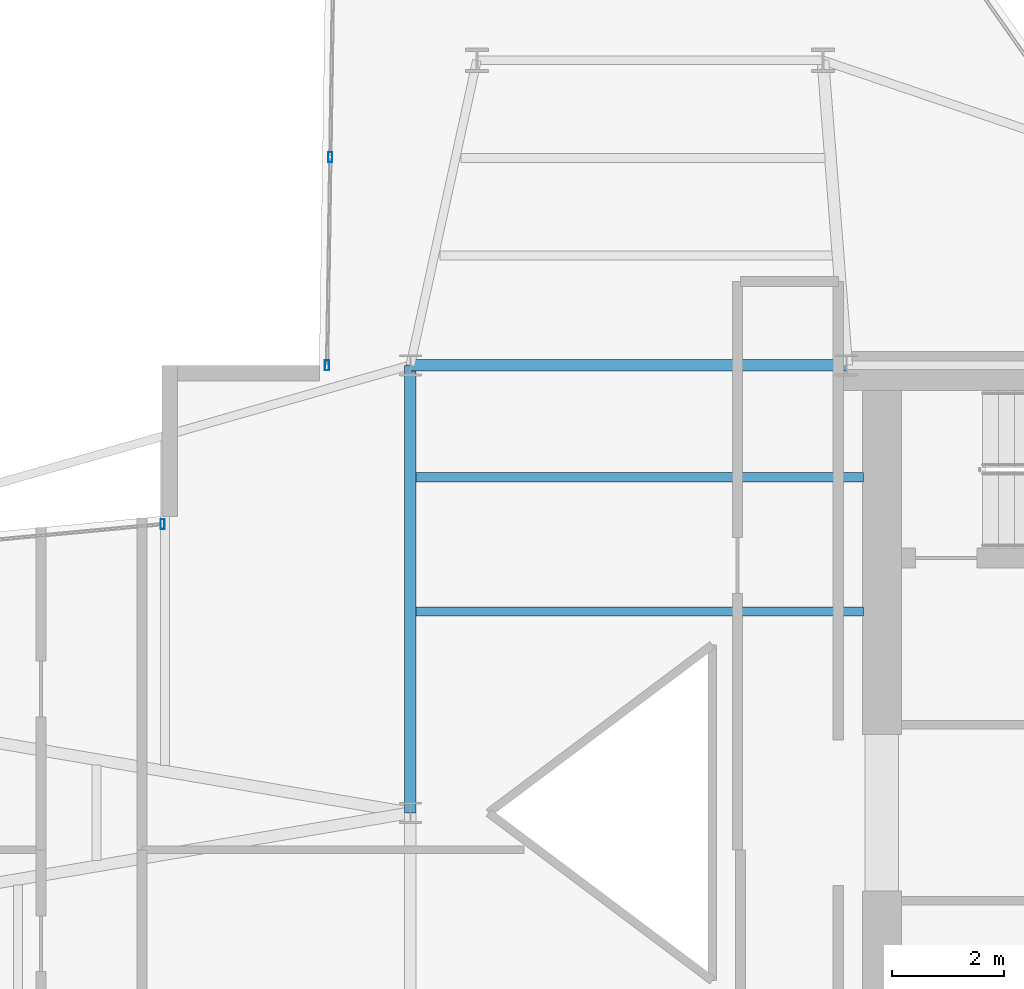
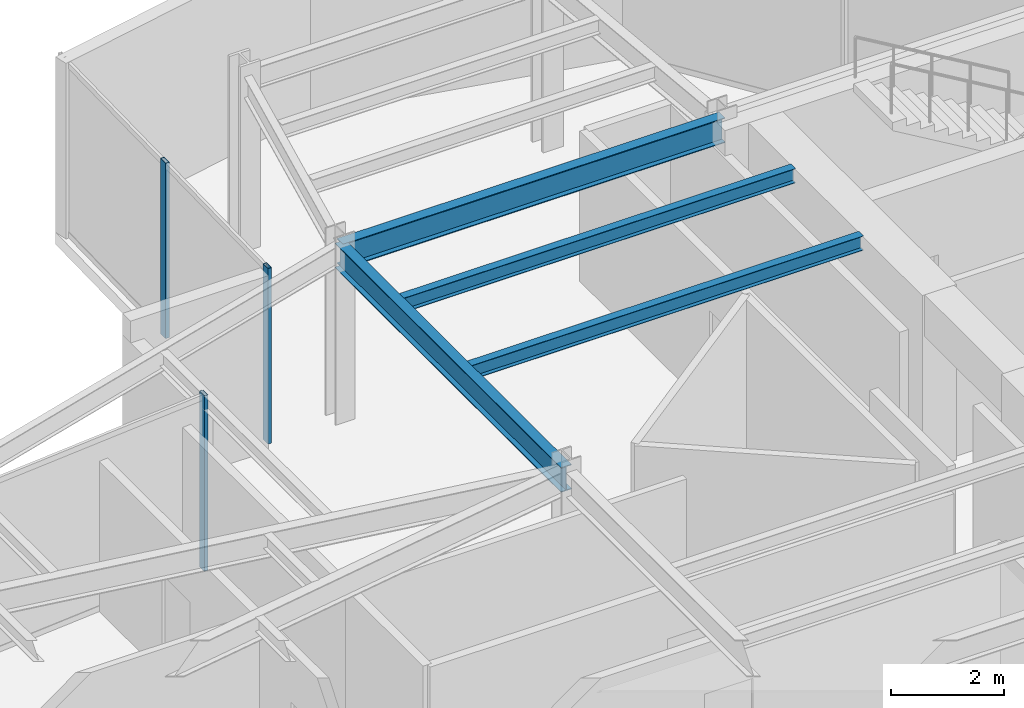
# One storey, part 10 of 24: 4 beams, 3 members, 2 elements without a shape of their own.
"""IFC4 building model written with IfcOpenShell, lengths in metres."""

from ifc_helpers import new_model, si_unit, direction, frame, origin, origin_2d, place, context, subcontext, project, spatial, hollow_rectangle, i_section, extrude, material, layer, layer_set, material_profile, profile_set, type_object, element, aggregate, save


model = new_model("IFC4")

# Units and contexts
model_context = context("Model", 3, precision=1e-05, world=origin(), true_north=direction((0.0, 1.0)))
body_context = subcontext(model_context, "Body", "Model", "MODEL_VIEW")
ifc_project = project(units=[si_unit("LENGTHUNIT", "METRE"), si_unit("AREAUNIT", "SQUARE_METRE"), si_unit("VOLUMEUNIT", "CUBIC_METRE"), si_unit("PLANEANGLEUNIT", "RADIAN"), si_unit("MASSUNIT", "GRAM", prefix="KILO")], contexts=[model_context])

# Site, building, storey
site_placement = place(None, origin())
site = spatial("IfcSite", under=ifc_project, at=site_placement, CompositionType="ELEMENT")
building_placement = place(site_placement, origin())
building = spatial("IfcBuilding", under=site, at=building_placement, Name="Veymaron Broadcast Tower", CompositionType="ELEMENT")
storey_placement = place(building_placement, frame((0.0, 0.0, 220.199951171875)))
storey = spatial("IfcBuildingStorey", under=building, at=storey_placement, Name="L51", CompositionType="ELEMENT", Elevation=220.199951171875)

# Beams
ifc_material_1 = material(Name="Structural steel ASTM A992 Gr 50", Category="steel")
ifc_material_profile_1 = material_profile(ifc_material_1, i_section(OverallWidth=0.2099609375, OverallDepth=0.537109375, WebThickness=0.010986328125, FlangeThickness=0.017333984375, at=origin_2d()), Name="W530X101")
ifc_profile_set_1 = profile_set([ifc_material_profile_1], Name="Structural steel ASTM A992 Gr 50")
beam_type_1 = type_object("IfcBeamType", Name="BM-FG3", PredefinedType="BEAM", material=ifc_profile_set_1)
beam_1_placement = place(storey_placement, frame((31.199951171875, 24.0, 3.521484375), z_axis=(0.0, 1.0, 0.0), x_axis=(-1.0, 0.0, 0.0)))
element("IfcBeam", 1, at=beam_1_placement, inside=storey, type_object=beam_type_1, Name="L51 primary structural floor girder", PredefinedType="BEAM", context=body_context, shape_type="SweptSolid", body=[
    extrude(i_section(OverallWidth=0.2099609375, OverallDepth=0.537109375, WebThickness=0.010986328125, FlangeThickness=0.017333984375, at=origin_2d()), origin(), (0.0, 0.0, 1.0), 8.0),
])
beam_2_placement = place(storey_placement, frame((31.199951171875, 32.0, 3.521484375), z_axis=(1.0, 0.0, 0.0), x_axis=(0.0, 1.0, 0.0)))
element("IfcBeam", 2, at=beam_2_placement, inside=storey, type_object=beam_type_1, Name="L51 primary structural floor girder", PredefinedType="BEAM", context=body_context, shape_type="SweptSolid", body=[
    extrude(i_section(OverallWidth=0.2099609375, OverallDepth=0.537109375, WebThickness=0.010986328125, FlangeThickness=0.017333984375, at=origin_2d()), origin(), (0.0, 0.0, 1.0), 7.800048828125),
])
ifc_material_profile_2 = material_profile(ifc_material_1, i_section(OverallWidth=0.1650390625, OverallDepth=0.31005859375, WebThickness=0.005859375, FlangeThickness=0.009765625, at=origin_2d()), Name="W310X39")
ifc_profile_set_2 = profile_set([ifc_material_profile_2], Name="Structural steel ASTM A992 Gr 50")
beam_type_2 = type_object("IfcBeamType", Name="BM-JS3", PredefinedType="JOIST", material=ifc_profile_set_2)
for number, where, z_axis, x_axis, name in (
    (3, (31.300048828125, 27.60009765625, 3.635009765625), (1.0, 0.0, 0.0), (0.0, 1.0, 0.0), "L51 Hub secondary joist 3"),
    (4, (31.300048828125, 30.0, 3.635009765625), (1.0, 0.0, 0.0), (0.0, 1.0, 0.0), "L51 Hub secondary joist 4"),
):
    element("IfcBeam", number, at=place(storey_placement, frame(where, z_axis=z_axis, x_axis=x_axis)), inside=storey, type_object=beam_type_2, Name=name, PredefinedType="JOIST", context=body_context, shape_type="SweptSolid", body=[
        extrude(i_section(OverallWidth=0.1650390625, OverallDepth=0.31005859375, WebThickness=0.005859375, FlangeThickness=0.009765625, at=origin_2d()), origin(), (0.0, 0.0, 1.0), 8.0),
    ])

# Curtain wall, members
ifc_material_2 = material(Name="Anodised aluminium AA 6063-T6 and laminated low-E dark glass", Category="aluminium")
ifc_layer = layer(ifc_material_2, 0.179931640625)
ifc_layer_set = layer_set([ifc_layer], Name="Anodised aluminium AA 6063-T6 and laminated low-E dark glass")
curtain_wall_type = type_object("IfcCurtainWallType", Name="CW-SYS-05", PredefinedType="NOTDEFINED", material=ifc_layer_set)
curtain_wall_1_placement = place(storey_placement, origin())
curtain_wall_1 = element("IfcCurtainWall", 5, at=curtain_wall_1_placement, inside=storey, type_object=curtain_wall_type, Name="L51 dark-glass curtain wall CW-L51-E8-1", PredefinedType="NOTDEFINED")
ifc_material_3 = material(Name="Anodised aluminium AA 6063-T6", Category="aluminium")
ifc_material_profile_3 = material_profile(ifc_material_3, hollow_rectangle(XDim=0.074951171875, YDim=0.179931640625, WallThickness=0.0048828125, at=origin_2d()), Name="AL180X75X5")
ifc_profile_set_3 = profile_set([ifc_material_profile_3], Name="Anodised aluminium AA 6063-T6")
member_type = type_object("IfcMemberType", Name="CW-MUL-02", PredefinedType="MULLION", material=ifc_profile_set_3)
member_1_placement = place(storey_placement, frame((29.77001953125, 35.72021484375, 0.0), z_axis=(0.0, 0.0, 1.0), x_axis=(1.0, 0.0, 0.0)))
member_1 = element("IfcMember", 6, at=member_1_placement, type_object=member_type, Name="CW-L51-E8-1 mullion 1", PredefinedType="MULLION", context=body_context, shape_type="SweptSolid", body=[
    extrude(hollow_rectangle(XDim=0.074951171875, YDim=0.179931640625, WallThickness=0.0048828125, at=origin_2d()), origin(), (0.0, 0.0, 1.0), 3.7900390625),
])
member_2_placement = place(storey_placement, frame((29.71240234375, 31.997802734375, 0.0), z_axis=(0.0, 0.0, 1.0), x_axis=(1.0, 0.0, 0.0)))
member_2 = element("IfcMember", 7, at=member_2_placement, type_object=member_type, Name="CW-L51-E8-1 mullion 2", PredefinedType="MULLION", context=body_context, shape_type="SweptSolid", body=[
    extrude(hollow_rectangle(XDim=0.074951171875, YDim=0.179931640625, WallThickness=0.0048828125, at=origin_2d()), origin(), (0.0, 0.0, 1.0), 3.7900390625),
])
aggregate(curtain_wall_1, [member_1, member_2])

# Curtain wall, member
curtain_wall_2_placement = place(storey_placement, origin())
curtain_wall_2 = element("IfcCurtainWall", 8, at=curtain_wall_2_placement, inside=storey, type_object=curtain_wall_type, Name="L51 dark-glass curtain wall CW-L51-E11-1", PredefinedType="NOTDEFINED")
member_3_placement = place(storey_placement, frame((26.773193359375, 29.160888671875, 0.0), z_axis=(0.0, 0.0, 1.0), x_axis=(1.0, 0.0, 0.0)))
member_3 = element("IfcMember", 9, at=member_3_placement, type_object=member_type, Name="CW-L51-E11-1 mullion 0", PredefinedType="MULLION", context=body_context, shape_type="SweptSolid", body=[
    extrude(hollow_rectangle(XDim=0.074951171875, YDim=0.179931640625, WallThickness=0.0048828125, at=origin_2d()), origin(), (0.0, 0.0, 1.0), 3.7900390625),
])
aggregate(curtain_wall_2, [member_3])

save(model, "model.ifc")
